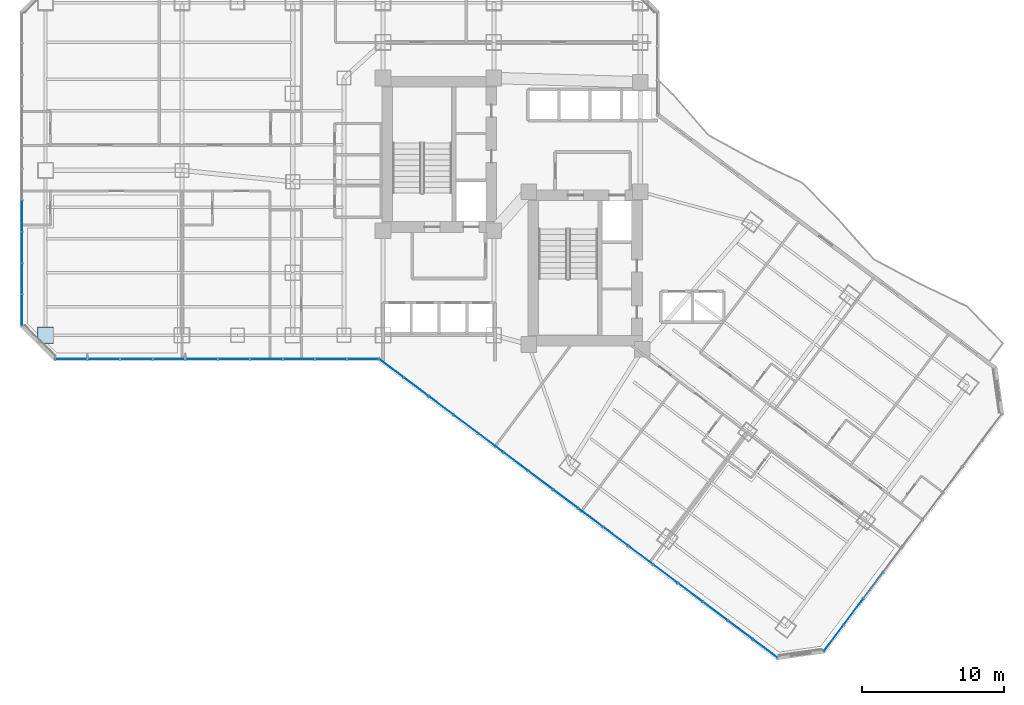
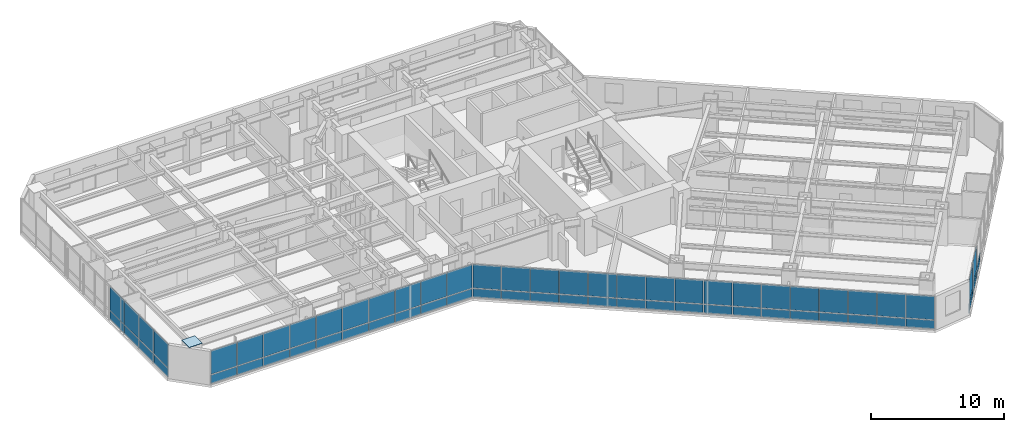
# One storey, part 26 of 39: 66 plates, 5 elements without a shape of their own.
"""IFC4 building model written with IfcOpenShell, lengths in metres."""

import ifcopenshell
import ifcopenshell.guid

model = None  # the IFC model being written
_history = None  # IfcOwnerHistory: only IFC2X3 demands one
_inside = {}  # id of a spatial element -> (the spatial element, [elements in it])
_under = {}  # id of a project, library or spatial element -> (it, [spatial elements below it])
_declared = {}  # id of a project -> (the project, [libraries it declares])
_typed = {}  # id of a type object -> (the type object, [elements of that type])
_made_of = {}  # id of a material, layer set ... -> (it, [elements and type objects made of it])


def new_model(schema):
    """Start an empty IFC model of exactly this schema.

    Asked for "IFC4X3", IfcOpenShell would pick the latest addendum, in which some entities
    have other attributes; the version numbers below select the first issue.
    IFC2X3 requires an IfcOwnerHistory on every rooted entity: one is made here for all.
    """
    global model, _history
    if schema == "IFC4X3":
        model = ifcopenshell.file(schema_version=(4, 3, 0, 0))
    else:
        model = ifcopenshell.file(schema=schema)
    _inside.clear()
    _under.clear()
    _declared.clear()
    _typed.clear()
    _made_of.clear()
    _history = None
    if model.schema == "IFC2X3":
        org = make("IfcOrganization", Name="unknown")
        user = make(
            "IfcPersonAndOrganization",
            ThePerson=make("IfcPerson", FamilyName="unknown"),
            TheOrganization=org,
        )
        app = make(
            "IfcApplication",
            ApplicationDeveloper=org,
            Version="unknown",
            ApplicationFullName="unknown",
            ApplicationIdentifier="unknown",
        )
        _history = make(
            "IfcOwnerHistory",
            OwningUser=user,
            OwningApplication=app,
            ChangeAction="ADDED",
            CreationDate=0,
        )
    return model


def make(cls, **values):
    """One entity of the class cls with the attributes given. An attribute that is None is left unset."""
    return model.create_entity(
        cls, **{name: value for name, value in values.items() if value is not None}
    )


def rooted(cls, **values):
    """An entity with a GlobalId (a new one), such as an element, a storey or a relation."""
    return make(cls, GlobalId=ifcopenshell.guid.new(), OwnerHistory=_history, **values)


def si_unit(unit_type, name, prefix=None):
    """IfcSIUnit, for example si_unit("LENGTHUNIT", "METRE", prefix="MILLI")."""
    return make("IfcSIUnit", UnitType=unit_type, Prefix=prefix, Name=name)


def assignment(units):
    """IfcUnitAssignment: the units of a project."""
    return None if units is None else make("IfcUnitAssignment", Units=units)


def point(xyz):
    """IfcCartesianPoint."""
    return None if xyz is None else make("IfcCartesianPoint", Coordinates=xyz)


def direction(xyz):
    """IfcDirection."""
    return None if xyz is None else make("IfcDirection", DirectionRatios=xyz)


def frame(location, z_axis=None, x_axis=None):
    """IfcAxis2Placement3D, a coordinate frame: its origin and axes. An axis left out is left unset."""
    return make(
        "IfcAxis2Placement3D",
        Location=point(location),
        Axis=direction(z_axis),
        RefDirection=direction(x_axis),
    )


def frame_2d(location, x_axis=None):
    """IfcAxis2Placement2D, a coordinate frame in the plane: its origin and x axis."""
    return make(
        "IfcAxis2Placement2D", Location=point(location), RefDirection=direction(x_axis)
    )


def origin():
    """The frame at (0, 0, 0) with its axes left unset."""
    return frame((0.0, 0.0, 0.0))


def origin_2d():
    """The frame at (0, 0) in the plane with its x axis left unset."""
    return frame_2d((0.0, 0.0))


def place(relative_to, where):
    """IfcLocalPlacement: puts the frame where relative to a parent placement (None: the world)."""
    return make(
        "IfcLocalPlacement", PlacementRelTo=relative_to, RelativePlacement=where
    )


def context(
    kind, dimensions, precision=None, world=None, true_north=None, identifier=None
):
    """IfcGeometricRepresentationContext, for example the 3D "Model" context."""
    return make(
        "IfcGeometricRepresentationContext",
        ContextIdentifier=identifier,
        ContextType=kind,
        CoordinateSpaceDimension=dimensions,
        Precision=precision,
        WorldCoordinateSystem=world,
        TrueNorth=true_north,
    )


def subcontext(parent, identifier, kind, view, scale=None):
    """IfcGeometricRepresentationSubContext, for example "Body" below "Model"."""
    return make(
        "IfcGeometricRepresentationSubContext",
        ContextIdentifier=identifier,
        ContextType=kind,
        ParentContext=parent,
        TargetScale=scale,
        TargetView=view,
    )


def project(units=None, contexts=None):
    """IfcProject with its units and contexts."""
    return rooted(
        "IfcProject",
        Name="project",
        RepresentationContexts=contexts,
        UnitsInContext=assignment(units),
    )


def spatial(cls, under=None, at=None, **own):
    """A site, building, storey or space (cls), placed at a placement, below another one or the project."""
    s = rooted(cls, ObjectPlacement=at, **own)
    if under is not None:
        _under.setdefault(under.id(), (under, []))[1].append(s)
    return s


def profile(cls, at=None, kind="AREA", **sizes):
    """A parametric profile (cls). Its sizes go by their IFC names, for example OverallWidth=200.0."""
    return make(cls, ProfileType=kind, Position=at, **sizes)


def rectangle(**sizes):
    """IfcRectangleProfileDef."""
    return profile("IfcRectangleProfileDef", **sizes)


def extrude(swept, where, along, depth):
    """IfcExtrudedAreaSolid: the profile swept, set in the frame where, extruded along a direction by depth."""
    return make(
        "IfcExtrudedAreaSolid",
        SweptArea=swept,
        Position=where,
        ExtrudedDirection=direction(along),
        Depth=depth,
    )


def shape(context_of_items, identifier, shape_type, items):
    """IfcShapeRepresentation: the items that make up one representation, for example the "Body"."""
    return make(
        "IfcShapeRepresentation",
        ContextOfItems=context_of_items,
        RepresentationIdentifier=identifier,
        RepresentationType=shape_type,
        Items=items,
    )


def material(Name=None, Category=None):
    """IfcMaterial."""
    return make("IfcMaterial", Name=Name, Category=Category)


def layer(
    of_material, thickness, ventilated=None, Name=None, Category=None, Priority=None
):
    """IfcMaterialLayer: one layer of a wall or slab, of a material (None: an air gap)."""
    return make(
        "IfcMaterialLayer",
        Material=of_material,
        LayerThickness=thickness,
        IsVentilated=ventilated,
        Name=Name,
        Category=Category,
        Priority=Priority,
    )


def layer_set(layers, Name=None):
    """IfcMaterialLayerSet."""
    return make("IfcMaterialLayerSet", MaterialLayers=layers, LayerSetName=Name)


def made_of(thing, what):
    """Note that an element or type object is made of a material, layer set ...; save() writes the relation."""
    if what is not None:
        _made_of.setdefault(what.id(), (what, []))[1].append(thing)
    return thing


def type_object(cls, material=None, **own):
    """A type object (cls), such as IfcWallType, which elements share."""
    return made_of(rooted(cls, **own), material)


def element(
    cls,
    number,
    at=None,
    inside=None,
    cuts=None,
    type_object=None,
    material=None,
    context=None,
    identifier="Body",
    shape_type=None,
    held_by="IfcProductDefinitionShape",
    body=None,
    shapes=None,
    **own,
):
    """One element of the class cls, such as IfcWall. Its Tag is "e" and its number.

    at: its placement. inside: the storey or other place that contains it. cuts: it is an
    opening in that element (IfcRelVoidsElement). A single representation is given by context,
    identifier, shape_type and body (its items); several are given by shapes. held_by: the class
    of the entity that holds the representations. save() writes the other relations.
    """
    e = rooted(cls, Tag="e%d" % number, ObjectPlacement=at, **own)
    if body is not None:
        shapes = [shape(context, identifier, shape_type, body)]
    if shapes is not None:
        e.Representation = make(held_by, Representations=shapes)
    if inside is not None:
        _inside.setdefault(inside.id(), (inside, []))[1].append(e)
    if cuts is not None:
        rooted(
            "IfcRelVoidsElement", RelatingBuildingElement=cuts, RelatedOpeningElement=e
        )
    if type_object is not None:
        _typed.setdefault(type_object.id(), (type_object, []))[1].append(e)
    return made_of(e, material)


def aggregate(whole, parts):
    """IfcRelAggregates: a whole, such as a stair, and the parts it consists of."""
    return rooted("IfcRelAggregates", RelatingObject=whole, RelatedObjects=parts)


def save(model, path):
    """Write the relations noted so far, then the file.

    IfcRelAggregates (storeys below a building ...), IfcRelContainedInSpatialStructure (elements
    in a storey), IfcRelDefinesByType, IfcRelAssociatesMaterial and IfcRelDeclares: one each for
    every whole, place, type object, material and project.
    """
    for whole, parts in _under.values():
        aggregate(whole, parts)
    for where, things in _inside.values():
        rooted(
            "IfcRelContainedInSpatialStructure",
            RelatedElements=things,
            RelatingStructure=where,
        )
    for kind, things in _typed.values():
        rooted("IfcRelDefinesByType", RelatedObjects=things, RelatingType=kind)
    for what, things in _made_of.values():
        rooted("IfcRelAssociatesMaterial", RelatedObjects=things, RelatingMaterial=what)
    for by, libraries in _declared.values():
        rooted("IfcRelDeclares", RelatingContext=by, RelatedDefinitions=libraries)
    model.write(path)


model = new_model("IFC4")

# Units and contexts
model_context = context("Model", 3, precision=1e-05, world=origin(), true_north=direction((0.0, 1.0)))
body_context = subcontext(model_context, "Body", "Model", "MODEL_VIEW")
ifc_project = project(units=[si_unit("LENGTHUNIT", "METRE"), si_unit("AREAUNIT", "SQUARE_METRE"), si_unit("VOLUMEUNIT", "CUBIC_METRE"), si_unit("PLANEANGLEUNIT", "RADIAN"), si_unit("MASSUNIT", "GRAM", prefix="KILO")], contexts=[model_context])

# Site, building, storey
site_placement = place(None, origin())
site = spatial("IfcSite", under=ifc_project, at=site_placement, CompositionType="ELEMENT")
building_placement = place(site_placement, origin())
building = spatial("IfcBuilding", under=site, at=building_placement, Name="Hatsunagi Terrace Concourse", CompositionType="ELEMENT")
storey_placement = place(building_placement, frame((0.0, 0.0, 66.75)))
storey = spatial("IfcBuildingStorey", under=building, at=storey_placement, Name="L17", CompositionType="ELEMENT", Elevation=66.75)

# Plate
ifc_material_1 = material(Name="Steel SN490C", Category="steel")
ifc_layer_1 = layer(ifc_material_1, 0.031982421875)
ifc_layer_set_1 = layer_set([ifc_layer_1], Name="ColumnEndCapPlate_32")
plate_type_1 = type_object("IfcPlateType", Name="ColumnEndCapPlate_32", PredefinedType="USERDEFINED", material=ifc_layer_set_1)
plate_1_placement = place(storey_placement, frame((1.800048828125, 25.199951171875, 3.09814453125), z_axis=(0.0, 0.0, 1.0), x_axis=(1.0, 0.0, 0.0)))
element("IfcPlate", 1, at=plate_1_placement, inside=storey, type_object=plate_type_1, Name="Hollow Column Top Cap Plate GP-03 L17-WS1", ObjectType="GUSSET_PLATE", PredefinedType="USERDEFINED", context=body_context, shape_type="SweptSolid", body=[
    extrude(rectangle(XDim=1.139892578125, YDim=1.139892578125, at=origin_2d()), origin(), (0.0, 0.0, 1.0), 0.031982421875),
])

# Curtain wall, plates
ifc_material_2 = material(Name="Anodised Aluminium Alloy 6063-T5", Category="aluminium")
ifc_layer_2 = layer(ifc_material_2, 0.199951171875)
ifc_layer_set_2 = layer_set([ifc_layer_2], Name="HotelFacade_CW02")
curtain_wall_type = type_object("IfcCurtainWallType", Name="HotelFacade_CW02", PredefinedType="NOTDEFINED", material=ifc_layer_set_2)
curtain_wall_1_placement = place(storey_placement, origin())
curtain_wall_1 = element("IfcCurtainWall", 2, at=curtain_wall_1_placement, inside=storey, type_object=curtain_wall_type, Name="Unitised Curtain Wall CW-02 CW-L17-03", PredefinedType="NOTDEFINED")
ifc_material_3 = material(Name="Warm Terracotta Ceramic Spandrel Panel", Category="masonry")
ifc_layer_3 = layer(ifc_material_3, 0.031982421875)
ifc_layer_set_3 = layer_set([ifc_layer_3], Name="CurtainWallSpandrelPanel_32")
plate_type_2 = type_object("IfcPlateType", Name="CurtainWallSpandrelPanel_32", PredefinedType="SHEET", material=ifc_layer_set_3)
plate_2_placement = place(storey_placement, frame((60.0439453125, 7.591064453125, 0.030029296875), z_axis=(0.0, 0.0, 1.0), x_axis=(-0.599969314634, -0.800023013105, 0.0)))
plate_2 = element("IfcPlate", 3, at=plate_2_placement, type_object=plate_type_2, Name="Terracotta Spandrel Panel SPN-01", PredefinedType="SHEET", context=body_context, shape_type="SweptSolid", body=[
    extrude(rectangle(XDim=2.264892578125, YDim=0.031982421875, at=origin_2d()), origin(), (0.0, 0.0, 1.0), 0.7900390625),
])
plate_3_placement = place(storey_placement, frame((58.65087890625, 5.735107421875, 0.030029296875), z_axis=(0.0, 0.0, 1.0), x_axis=(-0.599969314634, -0.800023013105, 0.0)))
plate_3 = element("IfcPlate", 4, at=plate_3_placement, type_object=plate_type_2, Name="Terracotta Spandrel Panel SPN-01", PredefinedType="SHEET", context=body_context, shape_type="SweptSolid", body=[
    extrude(rectangle(XDim=2.264892578125, YDim=0.031982421875, at=origin_2d()), origin(), (0.0, 0.0, 1.0), 0.7900390625),
])
plate_4_placement = place(storey_placement, frame((57.259033203125, 3.8779296875, 0.030029296875), z_axis=(0.0, 0.0, 1.0), x_axis=(-0.599969314634, -0.800023013105, 0.0)))
plate_4 = element("IfcPlate", 5, at=plate_4_placement, type_object=plate_type_2, Name="Terracotta Spandrel Panel SPN-01", PredefinedType="SHEET", context=body_context, shape_type="SweptSolid", body=[
    extrude(rectangle(XDim=2.264892578125, YDim=0.031982421875, at=origin_2d()), origin(), (0.0, 0.0, 1.0), 0.7900390625),
])

curtain_wall_2_placement = place(storey_placement, origin())
curtain_wall_2 = element("IfcCurtainWall", 6, at=curtain_wall_2_placement, inside=storey, type_object=curtain_wall_type, Name="Unitised Curtain Wall CW-02 CW-L17-05", PredefinedType="NOTDEFINED")
plate_5_placement = place(storey_placement, frame((52.44091796875, 3.14501953125, 0.030029296875), z_axis=(0.0, 0.0, 1.0), x_axis=(-0.800003116929, 0.599995844072, 0.0)))
plate_5 = element("IfcPlate", 7, at=plate_5_placement, type_object=plate_type_2, Name="Terracotta Spandrel Panel SPN-01", PredefinedType="SHEET", context=body_context, shape_type="SweptSolid", body=[
    extrude(rectangle(XDim=2.137939453125, YDim=0.031982421875, at=origin_2d()), origin(), (0.0, 0.0, 1.0), 0.7900390625),
])
plate_6_placement = place(storey_placement, frame((50.68603515625, 4.4609375, 0.030029296875), z_axis=(0.0, 0.0, 1.0), x_axis=(-0.800003116929, 0.599995844072, 0.0)))
plate_6 = element("IfcPlate", 8, at=plate_6_placement, type_object=plate_type_2, Name="Terracotta Spandrel Panel SPN-01", PredefinedType="SHEET", context=body_context, shape_type="SweptSolid", body=[
    extrude(rectangle(XDim=2.137939453125, YDim=0.031982421875, at=origin_2d()), origin(), (0.0, 0.0, 1.0), 0.7900390625),
])
plate_7_placement = place(storey_placement, frame((48.931884765625, 5.777099609375, 0.030029296875), z_axis=(0.0, 0.0, 1.0), x_axis=(-0.800003116929, 0.599995844072, 0.0)))
plate_7 = element("IfcPlate", 9, at=plate_7_placement, type_object=plate_type_2, Name="Terracotta Spandrel Panel SPN-01", PredefinedType="SHEET", context=body_context, shape_type="SweptSolid", body=[
    extrude(rectangle(XDim=2.137939453125, YDim=0.031982421875, at=origin_2d()), origin(), (0.0, 0.0, 1.0), 0.7900390625),
])
plate_8_placement = place(storey_placement, frame((47.177001953125, 7.092041015625, 0.030029296875), z_axis=(0.0, 0.0, 1.0), x_axis=(-0.800003116929, 0.599995844072, 0.0)))
plate_8 = element("IfcPlate", 10, at=plate_8_placement, type_object=plate_type_2, Name="Terracotta Spandrel Panel SPN-01", PredefinedType="SHEET", context=body_context, shape_type="SweptSolid", body=[
    extrude(rectangle(XDim=2.137939453125, YDim=0.031982421875, at=origin_2d()), origin(), (0.0, 0.0, 1.0), 0.7900390625),
])
plate_9_placement = place(storey_placement, frame((45.423095703125, 8.407958984375, 0.030029296875), z_axis=(0.0, 0.0, 1.0), x_axis=(-0.800003116929, 0.599995844072, 0.0)))
plate_9 = element("IfcPlate", 11, at=plate_9_placement, type_object=plate_type_2, Name="Terracotta Spandrel Panel SPN-01", PredefinedType="SHEET", context=body_context, shape_type="SweptSolid", body=[
    extrude(rectangle(XDim=2.137939453125, YDim=0.031982421875, at=origin_2d()), origin(), (0.0, 0.0, 1.0), 0.7900390625),
])
plate_10_placement = place(storey_placement, frame((43.6689453125, 9.72412109375, 0.030029296875), z_axis=(0.0, 0.0, 1.0), x_axis=(-0.800003116929, 0.599995844072, 0.0)))
plate_10 = element("IfcPlate", 12, at=plate_10_placement, type_object=plate_type_2, Name="Terracotta Spandrel Panel SPN-01", PredefinedType="SHEET", context=body_context, shape_type="SweptSolid", body=[
    extrude(rectangle(XDim=2.137939453125, YDim=0.031982421875, at=origin_2d()), origin(), (0.0, 0.0, 1.0), 0.7900390625),
])
plate_11_placement = place(storey_placement, frame((41.9140625, 11.0400390625, 0.030029296875), z_axis=(0.0, 0.0, 1.0), x_axis=(-0.800003116929, 0.599995844072, 0.0)))
plate_11 = element("IfcPlate", 13, at=plate_11_placement, type_object=plate_type_2, Name="Terracotta Spandrel Panel SPN-01", PredefinedType="SHEET", context=body_context, shape_type="SweptSolid", body=[
    extrude(rectangle(XDim=2.137939453125, YDim=0.031982421875, at=origin_2d()), origin(), (0.0, 0.0, 1.0), 0.7900390625),
])
plate_12_placement = place(storey_placement, frame((40.159912109375, 12.35595703125, 0.030029296875), z_axis=(0.0, 0.0, 1.0), x_axis=(-0.800003116929, 0.599995844072, 0.0)))
plate_12 = element("IfcPlate", 14, at=plate_12_placement, type_object=plate_type_2, Name="Terracotta Spandrel Panel SPN-01", PredefinedType="SHEET", context=body_context, shape_type="SweptSolid", body=[
    extrude(rectangle(XDim=2.137939453125, YDim=0.031982421875, at=origin_2d()), origin(), (0.0, 0.0, 1.0), 0.7900390625),
])
plate_13_placement = place(storey_placement, frame((38.405029296875, 13.6708984375, 0.030029296875), z_axis=(0.0, 0.0, 1.0), x_axis=(-0.800003116929, 0.599995844072, 0.0)))
plate_13 = element("IfcPlate", 15, at=plate_13_placement, type_object=plate_type_2, Name="Terracotta Spandrel Panel SPN-01", PredefinedType="SHEET", context=body_context, shape_type="SweptSolid", body=[
    extrude(rectangle(XDim=2.137939453125, YDim=0.031982421875, at=origin_2d()), origin(), (0.0, 0.0, 1.0), 0.7900390625),
])
plate_14_placement = place(storey_placement, frame((36.65087890625, 14.987060546875, 0.030029296875), z_axis=(0.0, 0.0, 1.0), x_axis=(-0.800003116929, 0.599995844072, 0.0)))
plate_14 = element("IfcPlate", 16, at=plate_14_placement, type_object=plate_type_2, Name="Terracotta Spandrel Panel SPN-01", PredefinedType="SHEET", context=body_context, shape_type="SweptSolid", body=[
    extrude(rectangle(XDim=2.137939453125, YDim=0.031982421875, at=origin_2d()), origin(), (0.0, 0.0, 1.0), 0.7900390625),
])
plate_15_placement = place(storey_placement, frame((34.89599609375, 16.302978515625, 0.030029296875), z_axis=(0.0, 0.0, 1.0), x_axis=(-0.800003116929, 0.599995844072, 0.0)))
plate_15 = element("IfcPlate", 17, at=plate_15_placement, type_object=plate_type_2, Name="Terracotta Spandrel Panel SPN-01", PredefinedType="SHEET", context=body_context, shape_type="SweptSolid", body=[
    extrude(rectangle(XDim=2.137939453125, YDim=0.031982421875, at=origin_2d()), origin(), (0.0, 0.0, 1.0), 0.7900390625),
])
plate_16_placement = place(storey_placement, frame((33.14208984375, 17.618896484375, 0.030029296875), z_axis=(0.0, 0.0, 1.0), x_axis=(-0.800003116929, 0.599995844072, 0.0)))
plate_16 = element("IfcPlate", 18, at=plate_16_placement, type_object=plate_type_2, Name="Terracotta Spandrel Panel SPN-01", PredefinedType="SHEET", context=body_context, shape_type="SweptSolid", body=[
    extrude(rectangle(XDim=2.137939453125, YDim=0.031982421875, at=origin_2d()), origin(), (0.0, 0.0, 1.0), 0.7900390625),
])
plate_17_placement = place(storey_placement, frame((31.387939453125, 18.93505859375, 0.030029296875), z_axis=(0.0, 0.0, 1.0), x_axis=(-0.800003116929, 0.599995844072, 0.0)))
plate_17 = element("IfcPlate", 19, at=plate_17_placement, type_object=plate_type_2, Name="Terracotta Spandrel Panel SPN-01", PredefinedType="SHEET", context=body_context, shape_type="SweptSolid", body=[
    extrude(rectangle(XDim=2.137939453125, YDim=0.031982421875, at=origin_2d()), origin(), (0.0, 0.0, 1.0), 0.7900390625),
])
plate_18_placement = place(storey_placement, frame((29.633056640625, 20.25, 0.030029296875), z_axis=(0.0, 0.0, 1.0), x_axis=(-0.800003116929, 0.599995844072, 0.0)))
plate_18 = element("IfcPlate", 20, at=plate_18_placement, type_object=plate_type_2, Name="Terracotta Spandrel Panel SPN-01", PredefinedType="SHEET", context=body_context, shape_type="SweptSolid", body=[
    extrude(rectangle(XDim=2.137939453125, YDim=0.031982421875, at=origin_2d()), origin(), (0.0, 0.0, 1.0), 0.7900390625),
])
plate_19_placement = place(storey_placement, frame((27.87890625, 21.56591796875, 0.030029296875), z_axis=(0.0, 0.0, 1.0), x_axis=(-0.800003116929, 0.599995844072, 0.0)))
plate_19 = element("IfcPlate", 21, at=plate_19_placement, type_object=plate_type_2, Name="Terracotta Spandrel Panel SPN-01", PredefinedType="SHEET", context=body_context, shape_type="SweptSolid", body=[
    extrude(rectangle(XDim=2.137939453125, YDim=0.031982421875, at=origin_2d()), origin(), (0.0, 0.0, 1.0), 0.7900390625),
])
plate_20_placement = place(storey_placement, frame((26.1240234375, 22.882080078125, 0.030029296875), z_axis=(0.0, 0.0, 1.0), x_axis=(-0.800003116929, 0.599995844072, 0.0)))
plate_20 = element("IfcPlate", 22, at=plate_20_placement, type_object=plate_type_2, Name="Terracotta Spandrel Panel SPN-01", PredefinedType="SHEET", context=body_context, shape_type="SweptSolid", body=[
    extrude(rectangle(XDim=2.137939453125, YDim=0.031982421875, at=origin_2d()), origin(), (0.0, 0.0, 1.0), 0.7900390625),
])

curtain_wall_3_placement = place(storey_placement, origin())
curtain_wall_3 = element("IfcCurtainWall", 23, at=curtain_wall_3_placement, inside=storey, type_object=curtain_wall_type, Name="Unitised Curtain Wall CW-02 CW-L17-06", PredefinedType="NOTDEFINED")
plate_21_placement = place(storey_placement, frame((24.1220703125, 23.5400390625, 0.030029296875), z_axis=(0.0, 0.0, 1.0), x_axis=(-1.0, 0.0, 0.0)))
plate_21 = element("IfcPlate", 24, at=plate_21_placement, type_object=plate_type_2, Name="Terracotta Spandrel Panel SPN-01", PredefinedType="SHEET", context=body_context, shape_type="SweptSolid", body=[
    extrude(rectangle(XDim=2.194091796875, YDim=0.031982421875, at=origin_2d()), origin(), (0.0, 0.0, 1.0), 0.7900390625),
])
plate_22_placement = place(storey_placement, frame((21.873046875, 23.5400390625, 0.030029296875), z_axis=(0.0, 0.0, 1.0), x_axis=(-1.0, 0.0, 0.0)))
plate_22 = element("IfcPlate", 25, at=plate_22_placement, type_object=plate_type_2, Name="Terracotta Spandrel Panel SPN-01", PredefinedType="SHEET", context=body_context, shape_type="SweptSolid", body=[
    extrude(rectangle(XDim=2.194091796875, YDim=0.031982421875, at=origin_2d()), origin(), (0.0, 0.0, 1.0), 0.7900390625),
])
plate_23_placement = place(storey_placement, frame((19.6240234375, 23.5400390625, 0.030029296875), z_axis=(0.0, 0.0, 1.0), x_axis=(-1.0, 0.0, 0.0)))
plate_23 = element("IfcPlate", 26, at=plate_23_placement, type_object=plate_type_2, Name="Terracotta Spandrel Panel SPN-01", PredefinedType="SHEET", context=body_context, shape_type="SweptSolid", body=[
    extrude(rectangle(XDim=2.194091796875, YDim=0.031982421875, at=origin_2d()), origin(), (0.0, 0.0, 1.0), 0.7900390625),
])

curtain_wall_4_placement = place(storey_placement, origin())
curtain_wall_4 = element("IfcCurtainWall", 27, at=curtain_wall_4_placement, inside=storey, type_object=curtain_wall_type, Name="Unitised Curtain Wall CW-02 CW-L17-07", PredefinedType="NOTDEFINED")
plate_24_placement = place(storey_placement, frame((17.35400390625, 23.5400390625, 0.030029296875), z_axis=(0.0, 0.0, 1.0), x_axis=(-1.0, 0.0, 0.0)))
plate_24 = element("IfcPlate", 28, at=plate_24_placement, type_object=plate_type_2, Name="Terracotta Spandrel Panel SPN-01", PredefinedType="SHEET", context=body_context, shape_type="SweptSolid", body=[
    extrude(rectangle(XDim=2.237060546875, YDim=0.031982421875, at=origin_2d()), origin(), (0.0, 0.0, 1.0), 0.7900390625),
])
plate_25_placement = place(storey_placement, frame((15.06201171875, 23.5400390625, 0.030029296875), z_axis=(0.0, 0.0, 1.0), x_axis=(-1.0, 0.0, 0.0)))
plate_25 = element("IfcPlate", 29, at=plate_25_placement, type_object=plate_type_2, Name="Terracotta Spandrel Panel SPN-01", PredefinedType="SHEET", context=body_context, shape_type="SweptSolid", body=[
    extrude(rectangle(XDim=2.237060546875, YDim=0.031982421875, at=origin_2d()), origin(), (0.0, 0.0, 1.0), 0.7900390625),
])
plate_26_placement = place(storey_placement, frame((12.77099609375, 23.5400390625, 0.030029296875), z_axis=(0.0, 0.0, 1.0), x_axis=(-1.0, 0.0, 0.0)))
plate_26 = element("IfcPlate", 30, at=plate_26_placement, type_object=plate_type_2, Name="Terracotta Spandrel Panel SPN-01", PredefinedType="SHEET", context=body_context, shape_type="SweptSolid", body=[
    extrude(rectangle(XDim=2.237060546875, YDim=0.031982421875, at=origin_2d()), origin(), (0.0, 0.0, 1.0), 0.7900390625),
])
plate_27_placement = place(storey_placement, frame((10.47900390625, 23.5400390625, 0.030029296875), z_axis=(0.0, 0.0, 1.0), x_axis=(-1.0, 0.0, 0.0)))
plate_27 = element("IfcPlate", 31, at=plate_27_placement, type_object=plate_type_2, Name="Terracotta Spandrel Panel SPN-01", PredefinedType="SHEET", context=body_context, shape_type="SweptSolid", body=[
    extrude(rectangle(XDim=2.237060546875, YDim=0.031982421875, at=origin_2d()), origin(), (0.0, 0.0, 1.0), 0.7900390625),
])
plate_28_placement = place(storey_placement, frame((8.18701171875, 23.5400390625, 0.030029296875), z_axis=(0.0, 0.0, 1.0), x_axis=(-1.0, 0.0, 0.0)))
plate_28 = element("IfcPlate", 32, at=plate_28_placement, type_object=plate_type_2, Name="Terracotta Spandrel Panel SPN-01", PredefinedType="SHEET", context=body_context, shape_type="SweptSolid", body=[
    extrude(rectangle(XDim=2.237060546875, YDim=0.031982421875, at=origin_2d()), origin(), (0.0, 0.0, 1.0), 0.7900390625),
])
plate_29_placement = place(storey_placement, frame((5.89599609375, 23.5400390625, 0.030029296875), z_axis=(0.0, 0.0, 1.0), x_axis=(-1.0, 0.0, 0.0)))
plate_29 = element("IfcPlate", 33, at=plate_29_placement, type_object=plate_type_2, Name="Terracotta Spandrel Panel SPN-01", PredefinedType="SHEET", context=body_context, shape_type="SweptSolid", body=[
    extrude(rectangle(XDim=2.237060546875, YDim=0.031982421875, at=origin_2d()), origin(), (0.0, 0.0, 1.0), 0.7900390625),
])
plate_30_placement = place(storey_placement, frame((3.60400390625, 23.5400390625, 0.030029296875), z_axis=(0.0, 0.0, 1.0), x_axis=(-1.0, 0.0, 0.0)))
plate_30 = element("IfcPlate", 34, at=plate_30_placement, type_object=plate_type_2, Name="Terracotta Spandrel Panel SPN-01", PredefinedType="SHEET", context=body_context, shape_type="SweptSolid", body=[
    extrude(rectangle(XDim=2.237060546875, YDim=0.031982421875, at=origin_2d()), origin(), (0.0, 0.0, 1.0), 0.7900390625),
])

curtain_wall_5_placement = place(storey_placement, origin())
curtain_wall_5 = element("IfcCurtainWall", 35, at=curtain_wall_5_placement, inside=storey, type_object=curtain_wall_type, Name="Unitised Curtain Wall CW-02 CW-L17-09", PredefinedType="NOTDEFINED")
plate_31_placement = place(storey_placement, frame((0.139892578125, 26.9619140625, 0.030029296875), z_axis=(0.0, 0.0, 1.0), x_axis=(0.0, 1.0, 0.0)))
plate_31 = element("IfcPlate", 36, at=plate_31_placement, type_object=plate_type_2, Name="Terracotta Spandrel Panel SPN-01", PredefinedType="SHEET", context=body_context, shape_type="SweptSolid", body=[
    extrude(rectangle(XDim=2.153076171875, YDim=0.031982421875, at=origin_2d()), origin(), (0.0, 0.0, 1.0), 0.7900390625),
])
plate_32_placement = place(storey_placement, frame((0.139892578125, 29.1708984375, 0.030029296875), z_axis=(0.0, 0.0, 1.0), x_axis=(0.0, 1.0, 0.0)))
plate_32 = element("IfcPlate", 37, at=plate_32_placement, type_object=plate_type_2, Name="Terracotta Spandrel Panel SPN-01", PredefinedType="SHEET", context=body_context, shape_type="SweptSolid", body=[
    extrude(rectangle(XDim=2.153076171875, YDim=0.031982421875, at=origin_2d()), origin(), (0.0, 0.0, 1.0), 0.7900390625),
])
plate_33_placement = place(storey_placement, frame((0.139892578125, 31.37890625, 0.030029296875), z_axis=(0.0, 0.0, 1.0), x_axis=(0.0, 1.0, 0.0)))
plate_33 = element("IfcPlate", 38, at=plate_33_placement, type_object=plate_type_2, Name="Terracotta Spandrel Panel SPN-01", PredefinedType="SHEET", context=body_context, shape_type="SweptSolid", body=[
    extrude(rectangle(XDim=2.153076171875, YDim=0.031982421875, at=origin_2d()), origin(), (0.0, 0.0, 1.0), 0.7900390625),
])
plate_34_placement = place(storey_placement, frame((0.139892578125, 33.5869140625, 0.030029296875), z_axis=(0.0, 0.0, 1.0), x_axis=(0.0, 1.0, 0.0)))
plate_34 = element("IfcPlate", 39, at=plate_34_placement, type_object=plate_type_2, Name="Terracotta Spandrel Panel SPN-01", PredefinedType="SHEET", context=body_context, shape_type="SweptSolid", body=[
    extrude(rectangle(XDim=2.153076171875, YDim=0.031982421875, at=origin_2d()), origin(), (0.0, 0.0, 1.0), 0.7900390625),
])

# Plate
ifc_material_4 = material(Name="Low-E Double Insulating Glass 28mm", Category="glass")
ifc_layer_4 = layer(ifc_material_4, 0.028076171875)
ifc_layer_set_4 = layer_set([ifc_layer_4], Name="CurtainWallVisionGlass_28")
plate_type_3 = type_object("IfcPlateType", Name="CurtainWallVisionGlass_28", PredefinedType="CURTAIN_PANEL", material=ifc_layer_set_4)
plate_35_placement = place(storey_placement, frame((58.65087890625, 5.735107421875, 0.8798828125), z_axis=(0.0, 0.0, 1.0), x_axis=(-0.599969314634, -0.800023013105, 0.0)))
plate_35 = element("IfcPlate", 40, at=plate_35_placement, type_object=plate_type_3, Name="Low-E Vision Glass Panel GLZ-01", PredefinedType="CURTAIN_PANEL", context=body_context, shape_type="SweptSolid", body=[
    extrude(rectangle(XDim=2.264892578125, YDim=0.028076171875, at=origin_2d()), origin(), (0.0, 0.0, 1.0), 2.179931640625),
])

plate_36_placement = place(storey_placement, frame((57.259033203125, 3.8779296875, 0.8798828125), z_axis=(0.0, 0.0, 1.0), x_axis=(-0.599969314634, -0.800023013105, 0.0)))
plate_36 = element("IfcPlate", 41, at=plate_36_placement, type_object=plate_type_3, Name="Low-E Vision Glass Panel GLZ-01", PredefinedType="CURTAIN_PANEL", context=body_context, shape_type="SweptSolid", body=[
    extrude(rectangle(XDim=2.264892578125, YDim=0.028076171875, at=origin_2d()), origin(), (0.0, 0.0, 1.0), 2.179931640625),
])

aggregate(curtain_wall_1, [plate_2, plate_3, plate_35, plate_4, plate_36])

plate_37_placement = place(storey_placement, frame((52.44091796875, 3.14501953125, 0.8798828125), z_axis=(0.0, 0.0, 1.0), x_axis=(-0.800003116929, 0.599995844072, 0.0)))
plate_37 = element("IfcPlate", 42, at=plate_37_placement, type_object=plate_type_3, Name="Low-E Vision Glass Panel GLZ-01", PredefinedType="CURTAIN_PANEL", context=body_context, shape_type="SweptSolid", body=[
    extrude(rectangle(XDim=2.137939453125, YDim=0.028076171875, at=origin_2d()), origin(), (0.0, 0.0, 1.0), 2.179931640625),
])

plate_38_placement = place(storey_placement, frame((50.68603515625, 4.4609375, 0.8798828125), z_axis=(0.0, 0.0, 1.0), x_axis=(-0.800003116929, 0.599995844072, 0.0)))
plate_38 = element("IfcPlate", 43, at=plate_38_placement, type_object=plate_type_3, Name="Low-E Vision Glass Panel GLZ-01", PredefinedType="CURTAIN_PANEL", context=body_context, shape_type="SweptSolid", body=[
    extrude(rectangle(XDim=2.137939453125, YDim=0.028076171875, at=origin_2d()), origin(), (0.0, 0.0, 1.0), 2.179931640625),
])

plate_39_placement = place(storey_placement, frame((48.931884765625, 5.777099609375, 0.8798828125), z_axis=(0.0, 0.0, 1.0), x_axis=(-0.800003116929, 0.599995844072, 0.0)))
plate_39 = element("IfcPlate", 44, at=plate_39_placement, type_object=plate_type_3, Name="Low-E Vision Glass Panel GLZ-01", PredefinedType="CURTAIN_PANEL", context=body_context, shape_type="SweptSolid", body=[
    extrude(rectangle(XDim=2.137939453125, YDim=0.028076171875, at=origin_2d()), origin(), (0.0, 0.0, 1.0), 2.179931640625),
])

plate_40_placement = place(storey_placement, frame((47.177001953125, 7.092041015625, 0.8798828125), z_axis=(0.0, 0.0, 1.0), x_axis=(-0.800003116929, 0.599995844072, 0.0)))
plate_40 = element("IfcPlate", 45, at=plate_40_placement, type_object=plate_type_3, Name="Low-E Vision Glass Panel GLZ-01", PredefinedType="CURTAIN_PANEL", context=body_context, shape_type="SweptSolid", body=[
    extrude(rectangle(XDim=2.137939453125, YDim=0.028076171875, at=origin_2d()), origin(), (0.0, 0.0, 1.0), 2.179931640625),
])

plate_41_placement = place(storey_placement, frame((45.423095703125, 8.407958984375, 0.8798828125), z_axis=(0.0, 0.0, 1.0), x_axis=(-0.800003116929, 0.599995844072, 0.0)))
plate_41 = element("IfcPlate", 46, at=plate_41_placement, type_object=plate_type_3, Name="Low-E Vision Glass Panel GLZ-01", PredefinedType="CURTAIN_PANEL", context=body_context, shape_type="SweptSolid", body=[
    extrude(rectangle(XDim=2.137939453125, YDim=0.028076171875, at=origin_2d()), origin(), (0.0, 0.0, 1.0), 2.179931640625),
])

plate_42_placement = place(storey_placement, frame((43.6689453125, 9.72412109375, 0.8798828125), z_axis=(0.0, 0.0, 1.0), x_axis=(-0.800003116929, 0.599995844072, 0.0)))
plate_42 = element("IfcPlate", 47, at=plate_42_placement, type_object=plate_type_3, Name="Low-E Vision Glass Panel GLZ-01", PredefinedType="CURTAIN_PANEL", context=body_context, shape_type="SweptSolid", body=[
    extrude(rectangle(XDim=2.137939453125, YDim=0.028076171875, at=origin_2d()), origin(), (0.0, 0.0, 1.0), 2.179931640625),
])

plate_43_placement = place(storey_placement, frame((41.9140625, 11.0400390625, 0.8798828125), z_axis=(0.0, 0.0, 1.0), x_axis=(-0.800003116929, 0.599995844072, 0.0)))
plate_43 = element("IfcPlate", 48, at=plate_43_placement, type_object=plate_type_3, Name="Low-E Vision Glass Panel GLZ-01", PredefinedType="CURTAIN_PANEL", context=body_context, shape_type="SweptSolid", body=[
    extrude(rectangle(XDim=2.137939453125, YDim=0.028076171875, at=origin_2d()), origin(), (0.0, 0.0, 1.0), 2.179931640625),
])

plate_44_placement = place(storey_placement, frame((40.159912109375, 12.35595703125, 0.8798828125), z_axis=(0.0, 0.0, 1.0), x_axis=(-0.800003116929, 0.599995844072, 0.0)))
plate_44 = element("IfcPlate", 49, at=plate_44_placement, type_object=plate_type_3, Name="Low-E Vision Glass Panel GLZ-01", PredefinedType="CURTAIN_PANEL", context=body_context, shape_type="SweptSolid", body=[
    extrude(rectangle(XDim=2.137939453125, YDim=0.028076171875, at=origin_2d()), origin(), (0.0, 0.0, 1.0), 2.179931640625),
])

plate_45_placement = place(storey_placement, frame((38.405029296875, 13.6708984375, 0.8798828125), z_axis=(0.0, 0.0, 1.0), x_axis=(-0.800003116929, 0.599995844072, 0.0)))
plate_45 = element("IfcPlate", 50, at=plate_45_placement, type_object=plate_type_3, Name="Low-E Vision Glass Panel GLZ-01", PredefinedType="CURTAIN_PANEL", context=body_context, shape_type="SweptSolid", body=[
    extrude(rectangle(XDim=2.137939453125, YDim=0.028076171875, at=origin_2d()), origin(), (0.0, 0.0, 1.0), 2.179931640625),
])

plate_46_placement = place(storey_placement, frame((36.65087890625, 14.987060546875, 0.8798828125), z_axis=(0.0, 0.0, 1.0), x_axis=(-0.800003116929, 0.599995844072, 0.0)))
plate_46 = element("IfcPlate", 51, at=plate_46_placement, type_object=plate_type_3, Name="Low-E Vision Glass Panel GLZ-01", PredefinedType="CURTAIN_PANEL", context=body_context, shape_type="SweptSolid", body=[
    extrude(rectangle(XDim=2.137939453125, YDim=0.028076171875, at=origin_2d()), origin(), (0.0, 0.0, 1.0), 2.179931640625),
])

plate_47_placement = place(storey_placement, frame((34.89599609375, 16.302978515625, 0.8798828125), z_axis=(0.0, 0.0, 1.0), x_axis=(-0.800003116929, 0.599995844072, 0.0)))
plate_47 = element("IfcPlate", 52, at=plate_47_placement, type_object=plate_type_3, Name="Low-E Vision Glass Panel GLZ-01", PredefinedType="CURTAIN_PANEL", context=body_context, shape_type="SweptSolid", body=[
    extrude(rectangle(XDim=2.137939453125, YDim=0.028076171875, at=origin_2d()), origin(), (0.0, 0.0, 1.0), 2.179931640625),
])

plate_48_placement = place(storey_placement, frame((33.14208984375, 17.618896484375, 0.8798828125), z_axis=(0.0, 0.0, 1.0), x_axis=(-0.800003116929, 0.599995844072, 0.0)))
plate_48 = element("IfcPlate", 53, at=plate_48_placement, type_object=plate_type_3, Name="Low-E Vision Glass Panel GLZ-01", PredefinedType="CURTAIN_PANEL", context=body_context, shape_type="SweptSolid", body=[
    extrude(rectangle(XDim=2.137939453125, YDim=0.028076171875, at=origin_2d()), origin(), (0.0, 0.0, 1.0), 2.179931640625),
])

plate_49_placement = place(storey_placement, frame((31.387939453125, 18.93505859375, 0.8798828125), z_axis=(0.0, 0.0, 1.0), x_axis=(-0.800003116929, 0.599995844072, 0.0)))
plate_49 = element("IfcPlate", 54, at=plate_49_placement, type_object=plate_type_3, Name="Low-E Vision Glass Panel GLZ-01", PredefinedType="CURTAIN_PANEL", context=body_context, shape_type="SweptSolid", body=[
    extrude(rectangle(XDim=2.137939453125, YDim=0.028076171875, at=origin_2d()), origin(), (0.0, 0.0, 1.0), 2.179931640625),
])

plate_50_placement = place(storey_placement, frame((29.633056640625, 20.25, 0.8798828125), z_axis=(0.0, 0.0, 1.0), x_axis=(-0.800003116929, 0.599995844072, 0.0)))
plate_50 = element("IfcPlate", 55, at=plate_50_placement, type_object=plate_type_3, Name="Low-E Vision Glass Panel GLZ-01", PredefinedType="CURTAIN_PANEL", context=body_context, shape_type="SweptSolid", body=[
    extrude(rectangle(XDim=2.137939453125, YDim=0.028076171875, at=origin_2d()), origin(), (0.0, 0.0, 1.0), 2.179931640625),
])

plate_51_placement = place(storey_placement, frame((27.87890625, 21.56591796875, 0.8798828125), z_axis=(0.0, 0.0, 1.0), x_axis=(-0.800003116929, 0.599995844072, 0.0)))
plate_51 = element("IfcPlate", 56, at=plate_51_placement, type_object=plate_type_3, Name="Low-E Vision Glass Panel GLZ-01", PredefinedType="CURTAIN_PANEL", context=body_context, shape_type="SweptSolid", body=[
    extrude(rectangle(XDim=2.137939453125, YDim=0.028076171875, at=origin_2d()), origin(), (0.0, 0.0, 1.0), 2.179931640625),
])

plate_52_placement = place(storey_placement, frame((26.1240234375, 22.882080078125, 0.8798828125), z_axis=(0.0, 0.0, 1.0), x_axis=(-0.800003116929, 0.599995844072, 0.0)))
plate_52 = element("IfcPlate", 57, at=plate_52_placement, type_object=plate_type_3, Name="Low-E Vision Glass Panel GLZ-01", PredefinedType="CURTAIN_PANEL", context=body_context, shape_type="SweptSolid", body=[
    extrude(rectangle(XDim=2.137939453125, YDim=0.028076171875, at=origin_2d()), origin(), (0.0, 0.0, 1.0), 2.179931640625),
])

aggregate(curtain_wall_2, [plate_5, plate_37, plate_6, plate_38, plate_7, plate_39, plate_8, plate_40, plate_9, plate_41, plate_10, plate_42, plate_11, plate_43, plate_12, plate_44, plate_13, plate_45, plate_14, plate_46, plate_15, plate_47, plate_16, plate_48, plate_17, plate_49, plate_18, plate_50, plate_19, plate_51, plate_20, plate_52])

plate_53_placement = place(storey_placement, frame((24.1220703125, 23.5400390625, 0.8798828125), z_axis=(0.0, 0.0, 1.0), x_axis=(-1.0, 0.0, 0.0)))
plate_53 = element("IfcPlate", 58, at=plate_53_placement, type_object=plate_type_3, Name="Low-E Vision Glass Panel GLZ-01", PredefinedType="CURTAIN_PANEL", context=body_context, shape_type="SweptSolid", body=[
    extrude(rectangle(XDim=2.194091796875, YDim=0.028076171875, at=origin_2d()), origin(), (0.0, 0.0, 1.0), 2.179931640625),
])

plate_54_placement = place(storey_placement, frame((21.873046875, 23.5400390625, 0.8798828125), z_axis=(0.0, 0.0, 1.0), x_axis=(-1.0, 0.0, 0.0)))
plate_54 = element("IfcPlate", 59, at=plate_54_placement, type_object=plate_type_3, Name="Low-E Vision Glass Panel GLZ-01", PredefinedType="CURTAIN_PANEL", context=body_context, shape_type="SweptSolid", body=[
    extrude(rectangle(XDim=2.194091796875, YDim=0.028076171875, at=origin_2d()), origin(), (0.0, 0.0, 1.0), 2.179931640625),
])

plate_55_placement = place(storey_placement, frame((19.6240234375, 23.5400390625, 0.8798828125), z_axis=(0.0, 0.0, 1.0), x_axis=(-1.0, 0.0, 0.0)))
plate_55 = element("IfcPlate", 60, at=plate_55_placement, type_object=plate_type_3, Name="Low-E Vision Glass Panel GLZ-01", PredefinedType="CURTAIN_PANEL", context=body_context, shape_type="SweptSolid", body=[
    extrude(rectangle(XDim=2.194091796875, YDim=0.028076171875, at=origin_2d()), origin(), (0.0, 0.0, 1.0), 2.179931640625),
])

aggregate(curtain_wall_3, [plate_21, plate_53, plate_22, plate_54, plate_23, plate_55])

plate_56_placement = place(storey_placement, frame((17.35400390625, 23.5400390625, 0.8798828125), z_axis=(0.0, 0.0, 1.0), x_axis=(-1.0, 0.0, 0.0)))
plate_56 = element("IfcPlate", 61, at=plate_56_placement, type_object=plate_type_3, Name="Low-E Vision Glass Panel GLZ-01", PredefinedType="CURTAIN_PANEL", context=body_context, shape_type="SweptSolid", body=[
    extrude(rectangle(XDim=2.237060546875, YDim=0.028076171875, at=origin_2d()), origin(), (0.0, 0.0, 1.0), 2.179931640625),
])

plate_57_placement = place(storey_placement, frame((15.06201171875, 23.5400390625, 0.8798828125), z_axis=(0.0, 0.0, 1.0), x_axis=(-1.0, 0.0, 0.0)))
plate_57 = element("IfcPlate", 62, at=plate_57_placement, type_object=plate_type_3, Name="Low-E Vision Glass Panel GLZ-01", PredefinedType="CURTAIN_PANEL", context=body_context, shape_type="SweptSolid", body=[
    extrude(rectangle(XDim=2.237060546875, YDim=0.028076171875, at=origin_2d()), origin(), (0.0, 0.0, 1.0), 2.179931640625),
])

plate_58_placement = place(storey_placement, frame((12.77099609375, 23.5400390625, 0.8798828125), z_axis=(0.0, 0.0, 1.0), x_axis=(-1.0, 0.0, 0.0)))
plate_58 = element("IfcPlate", 63, at=plate_58_placement, type_object=plate_type_3, Name="Low-E Vision Glass Panel GLZ-01", PredefinedType="CURTAIN_PANEL", context=body_context, shape_type="SweptSolid", body=[
    extrude(rectangle(XDim=2.237060546875, YDim=0.028076171875, at=origin_2d()), origin(), (0.0, 0.0, 1.0), 2.179931640625),
])

plate_59_placement = place(storey_placement, frame((10.47900390625, 23.5400390625, 0.8798828125), z_axis=(0.0, 0.0, 1.0), x_axis=(-1.0, 0.0, 0.0)))
plate_59 = element("IfcPlate", 64, at=plate_59_placement, type_object=plate_type_3, Name="Low-E Vision Glass Panel GLZ-01", PredefinedType="CURTAIN_PANEL", context=body_context, shape_type="SweptSolid", body=[
    extrude(rectangle(XDim=2.237060546875, YDim=0.028076171875, at=origin_2d()), origin(), (0.0, 0.0, 1.0), 2.179931640625),
])

plate_60_placement = place(storey_placement, frame((8.18701171875, 23.5400390625, 0.8798828125), z_axis=(0.0, 0.0, 1.0), x_axis=(-1.0, 0.0, 0.0)))
plate_60 = element("IfcPlate", 65, at=plate_60_placement, type_object=plate_type_3, Name="Low-E Vision Glass Panel GLZ-01", PredefinedType="CURTAIN_PANEL", context=body_context, shape_type="SweptSolid", body=[
    extrude(rectangle(XDim=2.237060546875, YDim=0.028076171875, at=origin_2d()), origin(), (0.0, 0.0, 1.0), 2.179931640625),
])

plate_61_placement = place(storey_placement, frame((5.89599609375, 23.5400390625, 0.8798828125), z_axis=(0.0, 0.0, 1.0), x_axis=(-1.0, 0.0, 0.0)))
plate_61 = element("IfcPlate", 66, at=plate_61_placement, type_object=plate_type_3, Name="Low-E Vision Glass Panel GLZ-01", PredefinedType="CURTAIN_PANEL", context=body_context, shape_type="SweptSolid", body=[
    extrude(rectangle(XDim=2.237060546875, YDim=0.028076171875, at=origin_2d()), origin(), (0.0, 0.0, 1.0), 2.179931640625),
])

plate_62_placement = place(storey_placement, frame((3.60400390625, 23.5400390625, 0.8798828125), z_axis=(0.0, 0.0, 1.0), x_axis=(-1.0, 0.0, 0.0)))
plate_62 = element("IfcPlate", 67, at=plate_62_placement, type_object=plate_type_3, Name="Low-E Vision Glass Panel GLZ-01", PredefinedType="CURTAIN_PANEL", context=body_context, shape_type="SweptSolid", body=[
    extrude(rectangle(XDim=2.237060546875, YDim=0.028076171875, at=origin_2d()), origin(), (0.0, 0.0, 1.0), 2.179931640625),
])

aggregate(curtain_wall_4, [plate_24, plate_56, plate_25, plate_57, plate_26, plate_58, plate_27, plate_59, plate_28, plate_60, plate_29, plate_61, plate_30, plate_62])

plate_63_placement = place(storey_placement, frame((0.139892578125, 26.9619140625, 0.8798828125), z_axis=(0.0, 0.0, 1.0), x_axis=(0.0, 1.0, 0.0)))
plate_63 = element("IfcPlate", 68, at=plate_63_placement, type_object=plate_type_3, Name="Low-E Vision Glass Panel GLZ-01", PredefinedType="CURTAIN_PANEL", context=body_context, shape_type="SweptSolid", body=[
    extrude(rectangle(XDim=2.153076171875, YDim=0.028076171875, at=origin_2d()), origin(), (0.0, 0.0, 1.0), 2.179931640625),
])

plate_64_placement = place(storey_placement, frame((0.139892578125, 29.1708984375, 0.8798828125), z_axis=(0.0, 0.0, 1.0), x_axis=(0.0, 1.0, 0.0)))
plate_64 = element("IfcPlate", 69, at=plate_64_placement, type_object=plate_type_3, Name="Low-E Vision Glass Panel GLZ-01", PredefinedType="CURTAIN_PANEL", context=body_context, shape_type="SweptSolid", body=[
    extrude(rectangle(XDim=2.153076171875, YDim=0.028076171875, at=origin_2d()), origin(), (0.0, 0.0, 1.0), 2.179931640625),
])

plate_65_placement = place(storey_placement, frame((0.139892578125, 31.37890625, 0.8798828125), z_axis=(0.0, 0.0, 1.0), x_axis=(0.0, 1.0, 0.0)))
plate_65 = element("IfcPlate", 70, at=plate_65_placement, type_object=plate_type_3, Name="Low-E Vision Glass Panel GLZ-01", PredefinedType="CURTAIN_PANEL", context=body_context, shape_type="SweptSolid", body=[
    extrude(rectangle(XDim=2.153076171875, YDim=0.028076171875, at=origin_2d()), origin(), (0.0, 0.0, 1.0), 2.179931640625),
])

plate_66_placement = place(storey_placement, frame((0.139892578125, 33.5869140625, 0.8798828125), z_axis=(0.0, 0.0, 1.0), x_axis=(0.0, 1.0, 0.0)))
plate_66 = element("IfcPlate", 71, at=plate_66_placement, type_object=plate_type_3, Name="Low-E Vision Glass Panel GLZ-01", PredefinedType="CURTAIN_PANEL", context=body_context, shape_type="SweptSolid", body=[
    extrude(rectangle(XDim=2.153076171875, YDim=0.028076171875, at=origin_2d()), origin(), (0.0, 0.0, 1.0), 2.179931640625),
])

aggregate(curtain_wall_5, [plate_31, plate_63, plate_32, plate_64, plate_33, plate_65, plate_34, plate_66])

save(model, "model.ifc")
